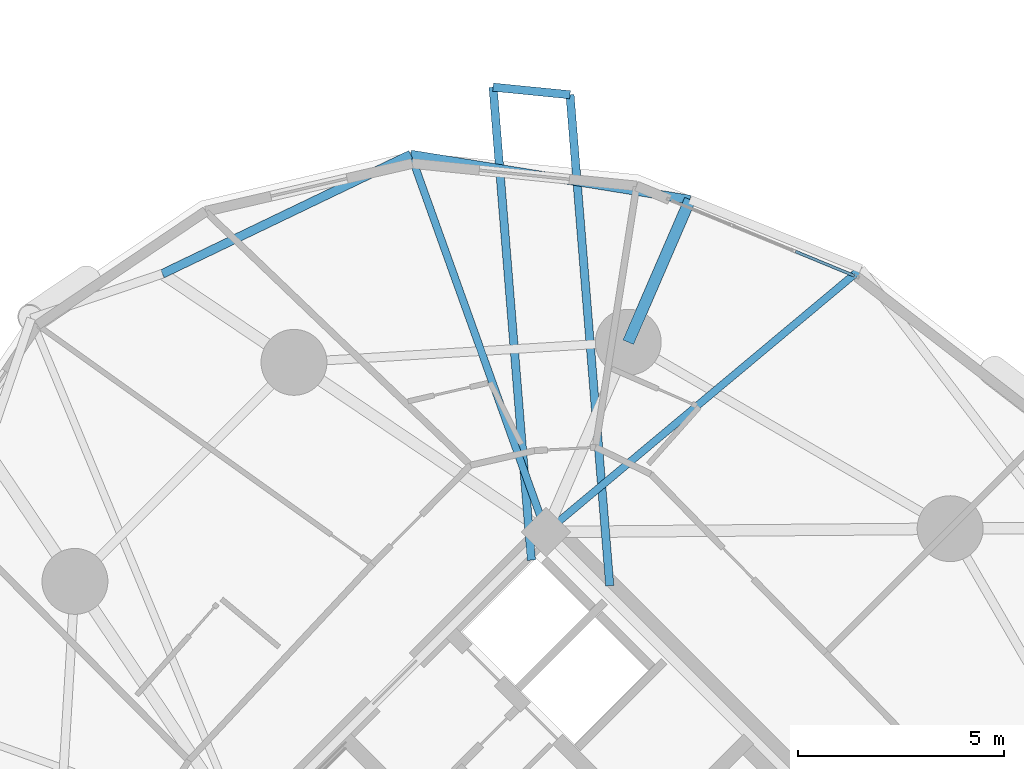
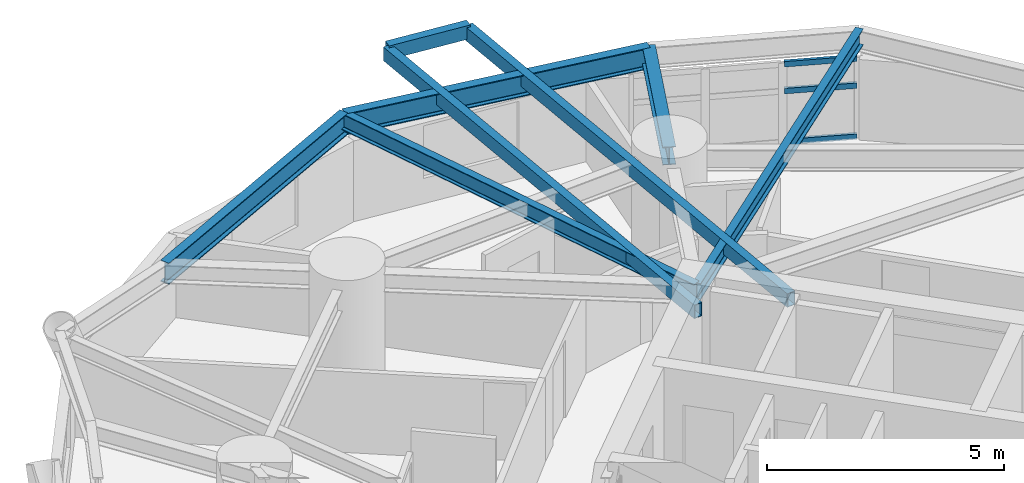
# One storey, part 6 of 18: 8 beams, 3 members, 1 element without a shape of its own.
"""IFC4 building model written with IfcOpenShell, lengths in metres."""

from ifc_helpers import new_model, si_unit, direction, frame, origin, origin_2d, place, context, subcontext, project, spatial, hollow_rectangle, i_section, extrude, material, layer, layer_set, material_profile, profile_set, type_object, element, aggregate, save


model = new_model("IFC4")

# Units and contexts
model_context = context("Model", 3, precision=1e-05, world=origin(), true_north=direction((0.0, 1.0)))
body_context = subcontext(model_context, "Body", "Model", "MODEL_VIEW")
ifc_project = project(units=[si_unit("LENGTHUNIT", "METRE"), si_unit("AREAUNIT", "SQUARE_METRE"), si_unit("VOLUMEUNIT", "CUBIC_METRE"), si_unit("PLANEANGLEUNIT", "RADIAN"), si_unit("MASSUNIT", "GRAM", prefix="KILO")], contexts=[model_context])

# Site, building, storey
site_placement = place(None, origin())
site = spatial("IfcSite", under=ifc_project, at=site_placement, CompositionType="ELEMENT")
building_placement = place(site_placement, origin())
building = spatial("IfcBuilding", under=site, at=building_placement, Name="Cununo Teusaquillo Station Towers", CompositionType="ELEMENT")
storey_placement = place(building_placement, frame((0.0, 0.0, 54.010009765625)))
storey = spatial("IfcBuildingStorey", under=building, at=storey_placement, Name="L16", CompositionType="ELEMENT", Elevation=54.010009765625)

# Beams
ifc_material_1 = material(Name="Steel EN 10025-2 S355J2", Category="steel")
ifc_material_profile_1 = material_profile(ifc_material_1, hollow_rectangle(XDim=0.199951171875, YDim=0.35009765625, WallThickness=0.013916015625, at=origin_2d()), Name="RHS 350x200x14")
ifc_profile_set_1 = profile_set([ifc_material_profile_1], Name="Steel EN 10025-2 S355J2")
beam_type_1 = type_object("IfcBeamType", Name="BM-BAL-CANT", PredefinedType="BEAM", material=ifc_profile_set_1)
beam_1_placement = place(storey_placement, frame((57.841796875, 31.72412109375, 2.47509765625), z_axis=(-0.080698566242, 0.996738552182, 0.0), x_axis=(-0.996738552182, -0.080698566242, 0.0)))
element("IfcBeam", 1, at=beam_1_placement, inside=storey, type_object=beam_type_1, Name="L16 Tower B Balcony Cantilever Bracket 1A", PredefinedType="BEAM", context=body_context, shape_type="SweptSolid", body=[
    extrude(hollow_rectangle(XDim=0.199951171875, YDim=0.35009765625, WallThickness=0.013916015625, at=origin_2d()), origin(), (0.0, 0.0, 1.0), 11.959228515625),
])
beam_2_placement = place(storey_placement, frame((55.938232421875, 32.3427734375, 2.47509765625), z_axis=(-0.080715185377, 0.996737206514, 0.0), x_axis=(-0.996737206514, -0.080715185377, 0.0)))
element("IfcBeam", 2, at=beam_2_placement, inside=storey, type_object=beam_type_1, Name="L16 Tower B Balcony Cantilever Bracket 1B", PredefinedType="BEAM", context=body_context, shape_type="SweptSolid", body=[
    extrude(hollow_rectangle(XDim=0.199951171875, YDim=0.35009765625, WallThickness=0.013916015625, at=origin_2d()), origin(), (0.0, 0.0, 1.0), 11.524169921875),
])
ifc_material_2 = material(Name="Steel ASTM A572 Grade 50", Category="steel")
ifc_material_profile_2 = material_profile(ifc_material_2, i_section(OverallWidth=0.180908203125, OverallDepth=0.4169921875, WebThickness=0.010986328125, FlangeThickness=0.018310546875, FilletRadius=0.012939453125, at=origin_2d()), Name="W16X57")
ifc_profile_set_2 = profile_set([ifc_material_profile_2], Name="Steel ASTM A572 Grade 50")
beam_type_2 = type_object("IfcBeamType", Name="BM-JOIST-1", PredefinedType="JOIST", material=ifc_profile_set_2)
beam_3_placement = place(storey_placement, frame((56.29443359375, 33.024169921875, 2.44140625), z_axis=(0.767277092139, 0.641315728701, 0.0), x_axis=(-0.641315728701, 0.767277092139, 0.0)))
element("IfcBeam", 3, at=beam_3_placement, inside=storey, type_object=beam_type_2, Name="L16 Tower B Radial Spandrel Joist V01", PredefinedType="JOIST", context=body_context, shape_type="SweptSolid", body=[
    extrude(i_section(OverallWidth=0.180908203125, OverallDepth=0.4169921875, WebThickness=0.010986328125, FlangeThickness=0.018310546875, FilletRadius=0.012939453125, at=origin_2d()), origin(), (0.0, 0.0, 1.0), 9.97021484375),
])
beam_4_placement = place(storey_placement, frame((56.29443359375, 33.024169921875, 2.44140625), z_axis=(-0.337279411522, 0.941404588136, 0.0), x_axis=(-0.941404588136, -0.337279411522, 0.0)))
element("IfcBeam", 4, at=beam_4_placement, inside=storey, type_object=beam_type_2, Name="L16 Tower B Radial Spandrel Joist V03", PredefinedType="JOIST", context=body_context, shape_type="SweptSolid", body=[
    extrude(i_section(OverallWidth=0.180908203125, OverallDepth=0.4169921875, WebThickness=0.010986328125, FlangeThickness=0.018310546875, FilletRadius=0.012939453125, at=origin_2d()), origin(), (0.0, 0.0, 1.0), 9.740234375),
])
ifc_material_3 = material(Name="Steel ASTM A572 Grade 50", Category="steel")
ifc_material_profile_3 = material_profile(ifc_material_3, i_section(OverallWidth=0.280029296875, OverallDepth=0.462890625, WebThickness=0.0107421875, FlangeThickness=0.017333984375, FilletRadius=0.013916015625, at=origin_2d()), Name="W18X76")
ifc_profile_set_3 = profile_set([ifc_material_profile_3], Name="Steel ASTM A572 Grade 50")
beam_type_3 = type_object("IfcBeamType", Name="BM-RAD-G1", PredefinedType="BEAM", material=ifc_profile_set_3)
beam_5_placement = place(storey_placement, frame((58.291015625, 37.63525390625, 2.41845703125), z_axis=(0.397391354301, 0.917649231203, 0.0), x_axis=(-0.917649231203, 0.397391354301, 0.0)))
element("IfcBeam", 5, at=beam_5_placement, inside=storey, type_object=beam_type_3, Name="L16 Tower B Perimeter Overhang Girder 02B", PredefinedType="BEAM", context=body_context, shape_type="SweptSolid", body=[
    extrude(i_section(OverallWidth=0.280029296875, OverallDepth=0.462890625, WebThickness=0.0107421875, FlangeThickness=0.017333984375, FilletRadius=0.013916015625, at=origin_2d()), origin(), (0.0, 0.0, 1.0), 3.7734375),
])
ifc_material_4 = material(Name="Steel ASTM A572 Grade 50", Category="steel")
ifc_material_profile_4 = material_profile(ifc_material_4, i_section(OverallWidth=0.214111328125, OverallDepth=0.549072265625, WebThickness=0.0146484375, FlangeThickness=0.023681640625, FilletRadius=0.014892578125, at=origin_2d()), Name="W21X93")
ifc_profile_set_4 = profile_set([ifc_material_profile_4], Name="Steel ASTM A572 Grade 50")
beam_type_4 = type_object("IfcBeamType", Name="BM-RING-Z1", PredefinedType="SPANDREL", material=ifc_profile_set_4)
beam_6_placement = place(storey_placement, frame((59.79052734375, 41.097900390625, 2.37548828125), z_axis=(-0.987196384793, 0.15950955411, 0.0), x_axis=(-0.15950955411, -0.987196384793, 0.0)))
element("IfcBeam", 6, at=beam_6_placement, inside=storey, type_object=beam_type_4, Name="L16 Tower B Spandrel Ring Beam 03", PredefinedType="SPANDREL", context=body_context, shape_type="SweptSolid", body=[
    extrude(i_section(OverallWidth=0.214111328125, OverallDepth=0.549072265625, WebThickness=0.0146484375, FlangeThickness=0.023681640625, FilletRadius=0.014892578125, at=origin_2d()), origin(), (0.0, 0.0, 1.0), 6.869140625),
])
beam_7_placement = place(storey_placement, frame((53.00927734375, 42.193603515625, 2.37548828125), z_axis=(-0.901374357189, -0.433040723491, 0.0), x_axis=(0.433040723491, -0.901374357189, 0.0)))
element("IfcBeam", 7, at=beam_7_placement, inside=storey, type_object=beam_type_4, Name="L16 Tower B Spandrel Ring Beam 04", PredefinedType="SPANDREL", context=body_context, shape_type="SweptSolid", body=[
    extrude(i_section(OverallWidth=0.214111328125, OverallDepth=0.549072265625, WebThickness=0.0146484375, FlangeThickness=0.023681640625, FilletRadius=0.014892578125, at=origin_2d()), origin(), (0.0, 0.0, 1.0), 6.689208984375),
])
ifc_material_5 = material(Name="Steel EN 10025-2 S355J2", Category="steel")
ifc_material_profile_5 = material_profile(ifc_material_5, hollow_rectangle(XDim=0.199951171875, YDim=0.35009765625, WallThickness=0.013916015625, at=origin_2d()), Name="RHS 350x200x14")
ifc_profile_set_5 = profile_set([ifc_material_profile_5], Name="Steel EN 10025-2 S355J2")
beam_type_5 = type_object("IfcBeamType", Name="BM-STAIR-TRIM", PredefinedType="BEAM", material=ifc_profile_set_5)
beam_8_placement = place(storey_placement, frame((56.876708984375, 43.644287109375, 2.52490234375), z_axis=(-0.995131992485, 0.098551090973, 0.0), x_axis=(-0.098551090973, -0.995131992485, 0.0)))
element("IfcBeam", 8, at=beam_8_placement, inside=storey, type_object=beam_type_5, Name="L16 Tower B Balcony Edge Trimmer Beam 1", PredefinedType="BEAM", context=body_context, shape_type="SweptSolid", body=[
    extrude(hollow_rectangle(XDim=0.199951171875, YDim=0.35009765625, WallThickness=0.013916015625, at=origin_2d()), origin(), (0.0, 0.0, 1.0), 1.877685546875),
])

# Curtain wall, members
ifc_material_6 = material(Name="Operable acoustic tinted low-E double glazing", Category="glass")
ifc_layer = layer(ifc_material_6, 0.179931640625)
ifc_layer_set = layer_set([ifc_layer], Name="Operable acoustic tinted low-E double glazing")
curtain_wall_type = type_object("IfcCurtainWallType", Name="CW-SYS-03", PredefinedType="USERDEFINED", material=ifc_layer_set)
curtain_wall_placement = place(storey_placement, origin())
curtain_wall = element("IfcCurtainWall", 9, at=curtain_wall_placement, inside=storey, type_object=curtain_wall_type, Name="L16 Tower B Facade Curtain Wall C01", ObjectType="OPERABLE GLAZING", PredefinedType="USERDEFINED")
ifc_material_7 = material(Name="Anodised dark bronze aluminium EN AW-6063-T6", Category="aluminium")
ifc_material_profile_6 = material_profile(ifc_material_7, hollow_rectangle(XDim=0.070068359375, YDim=0.139892578125, WallThickness=0.00390625, at=origin_2d()), Name="CW-TRAN-70x140")
ifc_profile_set_6 = profile_set([ifc_material_profile_6], Name="Anodised dark bronze aluminium EN AW-6063-T6")
member_type = type_object("IfcMemberType", Name="CWT-140", PredefinedType="USERDEFINED", material=ifc_profile_set_6)
member_1_placement = place(storey_placement, frame((62.35498046875, 39.836181640625, 0.034912109375), z_axis=(0.92451397274, -0.381148152572, 0.0), x_axis=(0.381148152572, 0.92451397274, 0.0)))
member_1 = element("IfcMember", 10, at=member_1_placement, type_object=member_type, Name="CW-03 transom 3.1", ObjectType="TRANSOM", PredefinedType="USERDEFINED", context=body_context, shape_type="SweptSolid", body=[
    extrude(hollow_rectangle(XDim=0.070068359375, YDim=0.139892578125, WallThickness=0.00390625, at=origin_2d()), origin(), (0.0, 0.0, 1.0), 1.541259765625),
])
member_2_placement = place(storey_placement, frame((62.35498046875, 39.836181640625, 1.346923828125), z_axis=(0.92451397274, -0.381148152572, 0.0), x_axis=(0.381148152572, 0.92451397274, 0.0)))
member_2 = element("IfcMember", 11, at=member_2_placement, type_object=member_type, Name="CW-03 transom 3.2", ObjectType="TRANSOM", PredefinedType="USERDEFINED", context=body_context, shape_type="SweptSolid", body=[
    extrude(hollow_rectangle(XDim=0.070068359375, YDim=0.139892578125, WallThickness=0.00390625, at=origin_2d()), origin(), (0.0, 0.0, 1.0), 1.541259765625),
])
member_3_placement = place(storey_placement, frame((62.35498046875, 39.836181640625, 2.0380859375), z_axis=(0.92451397274, -0.381148152572, 0.0), x_axis=(0.381148152572, 0.92451397274, 0.0)))
member_3 = element("IfcMember", 12, at=member_3_placement, type_object=member_type, Name="CW-03 transom 3.3", ObjectType="TRANSOM", PredefinedType="USERDEFINED", context=body_context, shape_type="SweptSolid", body=[
    extrude(hollow_rectangle(XDim=0.070068359375, YDim=0.139892578125, WallThickness=0.00390625, at=origin_2d()), origin(), (0.0, 0.0, 1.0), 1.541259765625),
])
aggregate(curtain_wall, [member_1, member_2, member_3])

save(model, "model.ifc")
